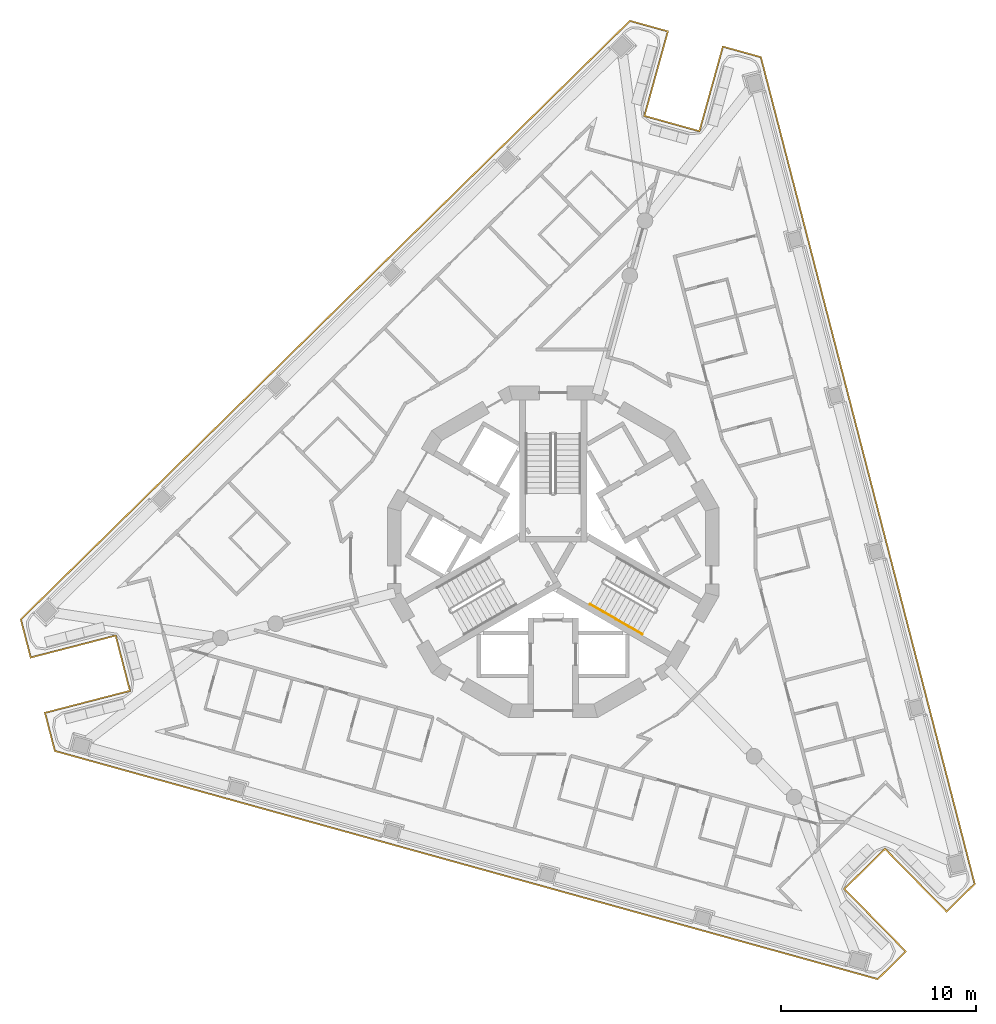
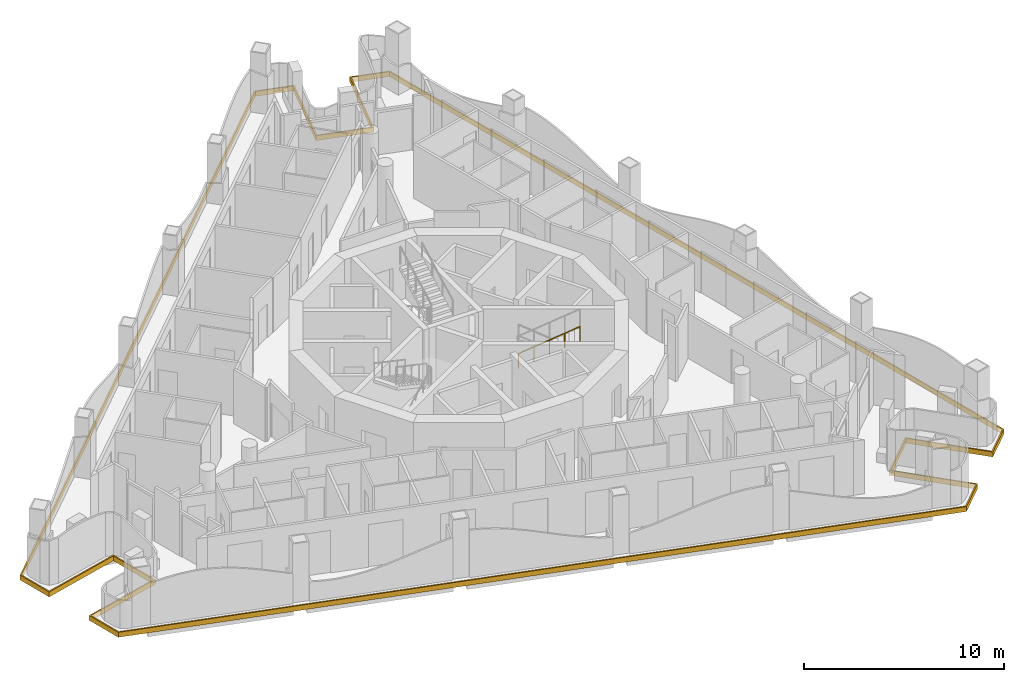
# One storey, part 12 of 15: 2 railings, 1 covering.
"""IFC4 building model written with IfcOpenShell, lengths in metres."""

from ifc_helpers import new_model, si_unit, direction, frame, origin, origin_2d, place, context, subcontext, project, spatial, polyline, circle, outline, extrude, material, layer, layer_set, type_object, element, save


model = new_model("IFC4")

# Units and contexts
model_context = context("Model", 3, precision=1e-05, world=origin(), true_north=direction((0.0, 1.0)))
body_context = subcontext(model_context, "Body", "Model", "MODEL_VIEW")
ifc_project = project(units=[si_unit("LENGTHUNIT", "METRE"), si_unit("AREAUNIT", "SQUARE_METRE"), si_unit("VOLUMEUNIT", "CUBIC_METRE"), si_unit("PLANEANGLEUNIT", "RADIAN"), si_unit("MASSUNIT", "GRAM", prefix="KILO")], contexts=[model_context])

# Site, building, storey
site_placement = place(None, origin())
site = spatial("IfcSite", under=ifc_project, at=site_placement, CompositionType="ELEMENT")
building_placement = place(site_placement, origin())
building = spatial("IfcBuilding", under=site, at=building_placement, Name="Trine Commons Tower", CompositionType="ELEMENT")
storey_placement = place(building_placement, frame((0.0, 0.0, 260.10009765625)))
storey = spatial("IfcBuildingStorey", under=building, at=storey_placement, Name="L68", CompositionType="ELEMENT", Elevation=260.10009765625)

# Covering
ifc_material_1 = material(Name="Limestone, honed", Category="masonry")
ifc_layer = layer(ifc_material_1, 0.074951171875)
ifc_layer_set = layer_set([ifc_layer], Name="Limestone, honed")
covering_type = type_object("IfcCoveringType", Name="Limestone spandrel panel 75", PredefinedType="CLADDING", material=ifc_layer_set)
covering_placement = place(storey_placement, frame((0.0, 0.0, -0.300048828125)))
element("IfcCovering", 1, at=covering_placement, inside=storey, type_object=covering_type, Name="Limestone spandrel panel 7-01", PredefinedType="CLADDING", context=body_context, shape_type="SweptSolid", body=[
    extrude(outline(polyline([(97.018310546875, 47.215087890625), (100.172607421875, 44.00537109375), (101.65771484375, 45.465087890625), (90.68359375, 87.899169921875), (88.677001953125, 88.45556640625), (87.474365234375, 84.119140625), (84.72802734375, 84.880859375), (85.9306640625, 89.21728515625), (83.923828125, 89.773681640625), (52.662109375, 59.052734375), (53.183349609375, 57.03662109375), (57.5400390625, 58.163330078125), (58.253662109375, 55.404052734375), (53.89697265625, 54.27734375), (54.418212890625, 52.26123046875), (96.654541015625, 40.548095703125), (98.1396484375, 42.0078125), (94.985595703125, 45.21728515625), (97.018310546875, 47.215087890625)]), holes=[polyline([(88.72900390625, 88.36328125), (90.621826171875, 87.83837890625), (101.57421875, 45.488037109375), (100.17333984375, 44.111572265625), (97.019287109375, 47.321044921875), (94.879638671875, 45.218505859375), (98.03369140625, 42.0087890625), (96.6328125, 40.632080078125), (54.47998046875, 52.322021484375), (53.98828125, 54.2236328125), (58.344970703125, 55.350341796875), (57.593994140625, 58.254638671875), (53.2373046875, 57.1279296875), (52.745361328125, 59.029541015625), (83.945556640625, 89.68994140625), (85.838134765625, 89.1650390625), (84.6357421875, 84.82861328125), (87.526611328125, 84.02685546875), (88.72900390625, 88.36328125)])]), origin(), (0.0, 0.0, 1.0), 0.300048828125),
])

# Railings
ifc_material_2 = material(Name="Stainless steel handrail", Category="steel")
railing_type = type_object("IfcRailingType", Name="Stair handrail, steel 900", PredefinedType="HANDRAIL", material=ifc_material_2)
for number, where, name in (
    (2, (81.90234375, 59.81396484375, 1.949951171875), "L68 ST3C stair handrail 3"),
    (3, (83.236083984375, 59.0439453125, 2.77490234375), "L68 ST3C stair handrail 4"),
):
    element("IfcRailing", number, at=place(storey_placement, frame(where)), inside=storey, type_object=railing_type, Name=name, PredefinedType="HANDRAIL", context=body_context, shape_type="SweptSolid", body=[
        extrude(circle(Radius=0.02099609375, at=origin_2d()), frame((0.0, 0.0, 0.87890625), z_axis=(0.76340495495, -0.440743040072, 0.472184759798), x_axis=(0.499992328818, 0.866029832698, 0.0)), (0.0, 0.0, 1.0), 1.7470703125),
        extrude(circle(Radius=0.01513671875, at=origin_2d()), origin(), (0.0, 0.0, 1.0), 0.85791015625),
        extrude(circle(Radius=0.01513671875, at=origin_2d()), frame((0.6669921875, -0.385009765625, 0.41259765625)), (0.0, 0.0, 1.0), 0.85791015625),
        extrude(circle(Radius=0.01513671875, at=origin_2d()), frame((1.333740234375, -0.77001953125, 0.824951171875)), (0.0, 0.0, 1.0), 0.85791015625),
    ])

save(model, "model.ifc")
